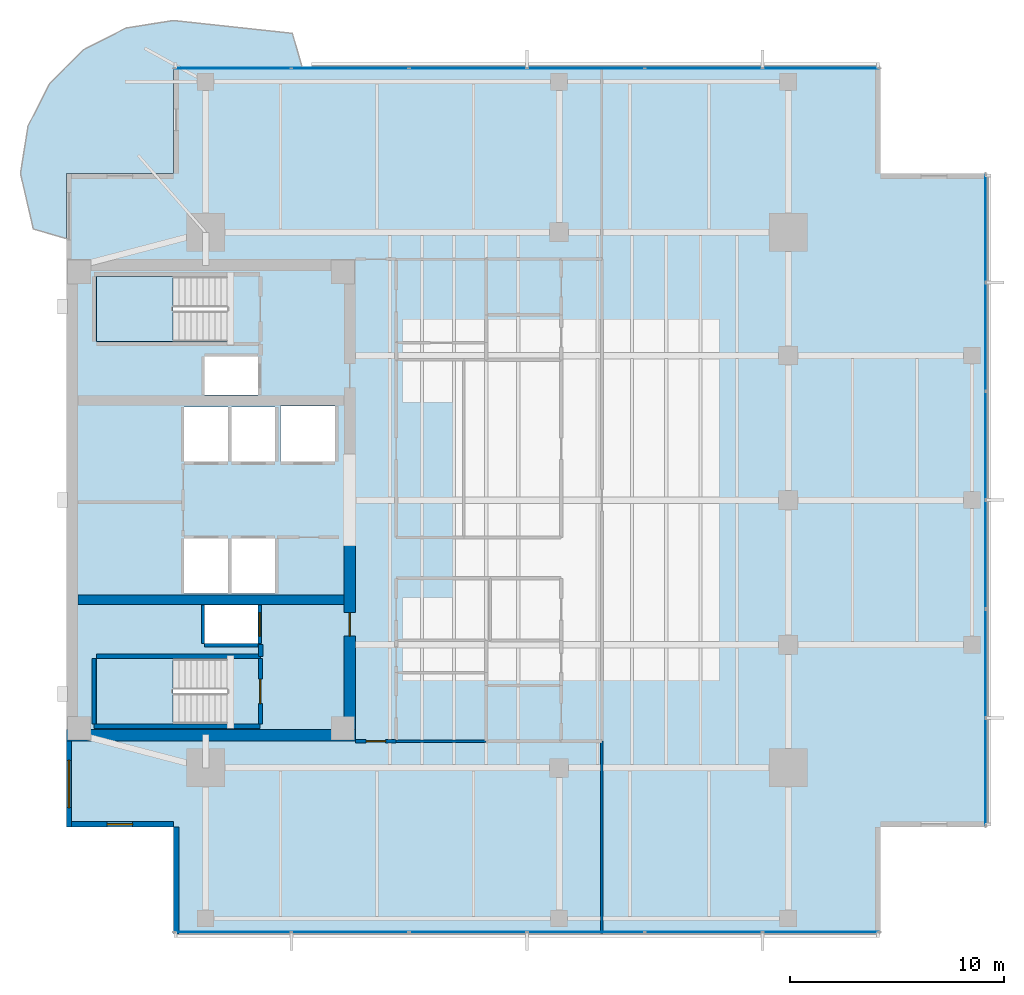
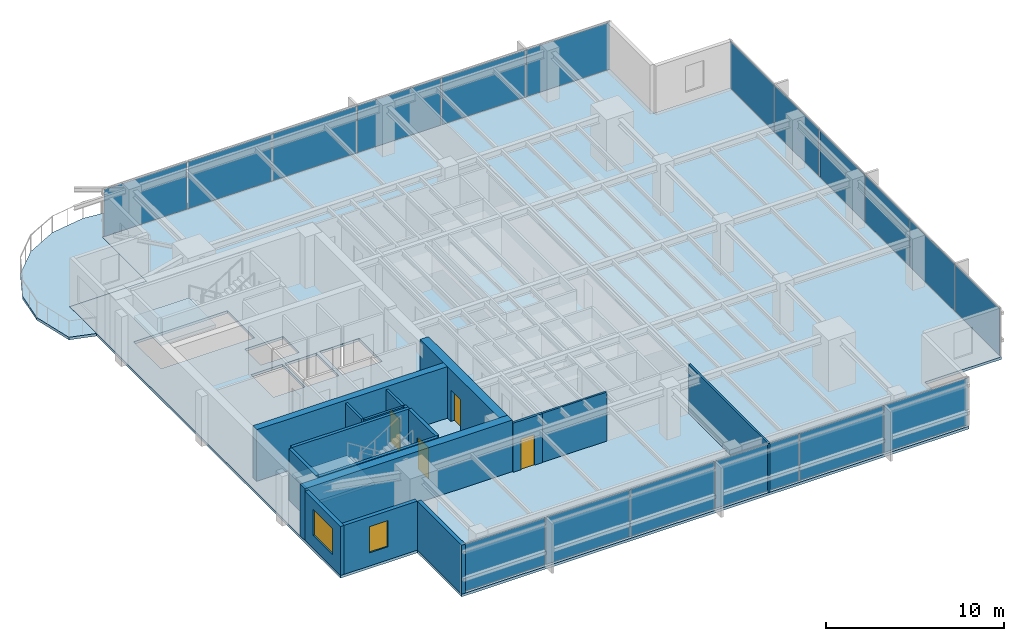
# One storey, part 7 of 14: 18 plates, 17 walls, 4 doors, 4 slabs, 2 windows, 6 openings, 5 elements without a shape of their own.
"""IFC4 building model written with IfcOpenShell, lengths in metres."""

from ifc_helpers import new_model, si_unit, direction, frame, frame_2d, origin, origin_2d, place, context, subcontext, project, spatial, polyline, rectangle, outline, extrude, material, layer, layer_set, type_object, element, fill, aggregate, save


model = new_model("IFC4")

# Units and contexts
model_context = context("Model", 3, precision=1e-05, world=origin(), true_north=direction((0.0, 1.0)))
body_context = subcontext(model_context, "Body", "Model", "MODEL_VIEW")
ifc_project = project(units=[si_unit("LENGTHUNIT", "METRE"), si_unit("AREAUNIT", "SQUARE_METRE"), si_unit("VOLUMEUNIT", "CUBIC_METRE"), si_unit("PLANEANGLEUNIT", "RADIAN"), si_unit("MASSUNIT", "GRAM", prefix="KILO")], contexts=[model_context])

# Site, building, storey
site_placement = place(None, origin())
site = spatial("IfcSite", under=ifc_project, at=site_placement, CompositionType="ELEMENT")
building_placement = place(site_placement, origin())
building = spatial("IfcBuilding", under=site, at=building_placement, Name="Kinhvarn Gate Tower", CompositionType="ELEMENT")
storey_placement = place(building_placement, frame((0.0, 0.0, 195.14990234375)))
storey = spatial("IfcBuildingStorey", under=building, at=storey_placement, Name="L51", CompositionType="ELEMENT", Elevation=195.14990234375)

# Curtain wall, plates
ifc_material_1 = material(Name="Anodised aluminium AW-6063", Category="aluminium")
ifc_layer_1 = layer(ifc_material_1, 0.179931640625)
ifc_layer_set_1 = layer_set([ifc_layer_1], Name="Anodised aluminium AW-6063")
curtain_wall_type = type_object("IfcCurtainWallType", Name="CW-SYS-3", PredefinedType="NOTDEFINED", material=ifc_layer_set_1)
curtain_wall_1_placement = place(storey_placement, origin())
curtain_wall_1 = element("IfcCurtainWall", 1, at=curtain_wall_1_placement, inside=storey, type_object=curtain_wall_type, Name="Curtain Wall CW3 (L51)", PredefinedType="NOTDEFINED")
ifc_material_2 = material(Name="Clear low-e double glazing", Category="glass")
ifc_layer_2 = layer(ifc_material_2, 0.031982421875)
ifc_layer_set_2 = layer_set([ifc_layer_2], Name="Clear low-e double glazing")
plate_type = type_object("IfcPlateType", Name="CW-PNL-VIS", PredefinedType="CURTAIN_PANEL", material=ifc_layer_set_2)
plate_1_placement = place(storey_placement, frame((12.266357421875, 5.090087890625, 0.070068359375), z_axis=(0.0, 0.0, 1.0), x_axis=(1.0, 0.0, 0.0)))
plate_1 = element("IfcPlate", 2, at=plate_1_placement, type_object=plate_type, Name="CW3 panel 1.1", PredefinedType="CURTAIN_PANEL", context=body_context, shape_type="SweptSolid", body=[
    extrude(rectangle(XDim=5.402587890625, YDim=0.031982421875, at=origin_2d()), origin(), (0.0, 0.0, 1.0), 3.22998046875),
])
plate_2_placement = place(storey_placement, frame((17.75, 5.090087890625, 0.070068359375), z_axis=(0.0, 0.0, 1.0), x_axis=(1.0, 0.0, 0.0)))
plate_2 = element("IfcPlate", 3, at=plate_2_placement, type_object=plate_type, Name="CW3 panel 2.1", PredefinedType="CURTAIN_PANEL", context=body_context, shape_type="SweptSolid", body=[
    extrude(rectangle(XDim=5.43505859375, YDim=0.031982421875, at=origin_2d()), origin(), (0.0, 0.0, 1.0), 3.22998046875),
])
plate_3_placement = place(storey_placement, frame((23.25, 5.090087890625, 0.070068359375), z_axis=(0.0, 0.0, 1.0), x_axis=(1.0, 0.0, 0.0)))
plate_3 = element("IfcPlate", 4, at=plate_3_placement, type_object=plate_type, Name="CW3 panel 3.1", PredefinedType="CURTAIN_PANEL", context=body_context, shape_type="SweptSolid", body=[
    extrude(rectangle(XDim=5.43505859375, YDim=0.031982421875, at=origin_2d()), origin(), (0.0, 0.0, 1.0), 3.22998046875),
])
plate_4_placement = place(storey_placement, frame((28.75, 5.090087890625, 0.070068359375), z_axis=(0.0, 0.0, 1.0), x_axis=(1.0, 0.0, 0.0)))
plate_4 = element("IfcPlate", 5, at=plate_4_placement, type_object=plate_type, Name="CW3 panel 4.1", PredefinedType="CURTAIN_PANEL", context=body_context, shape_type="SweptSolid", body=[
    extrude(rectangle(XDim=5.43505859375, YDim=0.031982421875, at=origin_2d()), origin(), (0.0, 0.0, 1.0), 3.22998046875),
])
plate_5_placement = place(storey_placement, frame((34.25, 5.090087890625, 0.070068359375), z_axis=(0.0, 0.0, 1.0), x_axis=(1.0, 0.0, 0.0)))
plate_5 = element("IfcPlate", 6, at=plate_5_placement, type_object=plate_type, Name="CW3 panel 5.1", PredefinedType="CURTAIN_PANEL", context=body_context, shape_type="SweptSolid", body=[
    extrude(rectangle(XDim=5.43505859375, YDim=0.031982421875, at=origin_2d()), origin(), (0.0, 0.0, 1.0), 3.22998046875),
])
plate_6_placement = place(storey_placement, frame((39.733642578125, 5.090087890625, 0.070068359375), z_axis=(0.0, 0.0, 1.0), x_axis=(1.0, 0.0, 0.0)))
plate_6 = element("IfcPlate", 7, at=plate_6_placement, type_object=plate_type, Name="CW3 panel 6.1", PredefinedType="CURTAIN_PANEL", context=body_context, shape_type="SweptSolid", body=[
    extrude(rectangle(XDim=5.402587890625, YDim=0.031982421875, at=origin_2d()), origin(), (0.0, 0.0, 1.0), 3.22998046875),
])
aggregate(curtain_wall_1, [plate_1, plate_2, plate_3, plate_4, plate_5, plate_6])

curtain_wall_2_placement = place(storey_placement, origin())
curtain_wall_2 = element("IfcCurtainWall", 8, at=curtain_wall_2_placement, inside=storey, type_object=curtain_wall_type, Name="Curtain Wall CW3 (L51)", PredefinedType="NOTDEFINED")
plate_7_placement = place(storey_placement, frame((39.733642578125, 45.409912109375, 0.070068359375), z_axis=(0.0, 0.0, 1.0), x_axis=(-1.0, 0.0, 0.0)))
plate_7 = element("IfcPlate", 9, at=plate_7_placement, type_object=plate_type, Name="CW3 panel 1.1", PredefinedType="CURTAIN_PANEL", context=body_context, shape_type="SweptSolid", body=[
    extrude(rectangle(XDim=5.402587890625, YDim=0.031982421875, at=origin_2d()), origin(), (0.0, 0.0, 1.0), 3.22998046875),
])
plate_8_placement = place(storey_placement, frame((34.25, 45.409912109375, 0.070068359375), z_axis=(0.0, 0.0, 1.0), x_axis=(-1.0, 0.0, 0.0)))
plate_8 = element("IfcPlate", 10, at=plate_8_placement, type_object=plate_type, Name="CW3 panel 2.1", PredefinedType="CURTAIN_PANEL", context=body_context, shape_type="SweptSolid", body=[
    extrude(rectangle(XDim=5.43505859375, YDim=0.031982421875, at=origin_2d()), origin(), (0.0, 0.0, 1.0), 3.22998046875),
])
plate_9_placement = place(storey_placement, frame((28.75, 45.409912109375, 0.070068359375), z_axis=(0.0, 0.0, 1.0), x_axis=(-1.0, 0.0, 0.0)))
plate_9 = element("IfcPlate", 11, at=plate_9_placement, type_object=plate_type, Name="CW3 panel 3.1", PredefinedType="CURTAIN_PANEL", context=body_context, shape_type="SweptSolid", body=[
    extrude(rectangle(XDim=5.43505859375, YDim=0.031982421875, at=origin_2d()), origin(), (0.0, 0.0, 1.0), 3.22998046875),
])
plate_10_placement = place(storey_placement, frame((23.25, 45.409912109375, 0.070068359375), z_axis=(0.0, 0.0, 1.0), x_axis=(-1.0, 0.0, 0.0)))
plate_10 = element("IfcPlate", 12, at=plate_10_placement, type_object=plate_type, Name="CW3 panel 4.1", PredefinedType="CURTAIN_PANEL", context=body_context, shape_type="SweptSolid", body=[
    extrude(rectangle(XDim=5.43505859375, YDim=0.031982421875, at=origin_2d()), origin(), (0.0, 0.0, 1.0), 3.22998046875),
])
plate_11_placement = place(storey_placement, frame((17.75, 45.409912109375, 0.070068359375), z_axis=(0.0, 0.0, 1.0), x_axis=(-1.0, 0.0, 0.0)))
plate_11 = element("IfcPlate", 13, at=plate_11_placement, type_object=plate_type, Name="CW3 panel 5.1", PredefinedType="CURTAIN_PANEL", context=body_context, shape_type="SweptSolid", body=[
    extrude(rectangle(XDim=5.43505859375, YDim=0.031982421875, at=origin_2d()), origin(), (0.0, 0.0, 1.0), 3.22998046875),
])
plate_12_placement = place(storey_placement, frame((12.266357421875, 45.409912109375, 0.070068359375), z_axis=(0.0, 0.0, 1.0), x_axis=(-1.0, 0.0, 0.0)))
plate_12 = element("IfcPlate", 14, at=plate_12_placement, type_object=plate_type, Name="CW3 panel 6.1", PredefinedType="CURTAIN_PANEL", context=body_context, shape_type="SweptSolid", body=[
    extrude(rectangle(XDim=5.402587890625, YDim=0.031982421875, at=origin_2d()), origin(), (0.0, 0.0, 1.0), 3.22998046875),
])
aggregate(curtain_wall_2, [plate_7, plate_8, plate_9, plate_10, plate_11, plate_12])

curtain_wall_3_placement = place(storey_placement, origin())
curtain_wall_3 = element("IfcCurtainWall", 15, at=curtain_wall_3_placement, inside=storey, type_object=curtain_wall_type, Name="Curtain Wall CW3 (L51)", PredefinedType="NOTDEFINED")
plate_13_placement = place(storey_placement, frame((47.409912109375, 12.557861328125, 0.070068359375), z_axis=(0.0, 0.0, 1.0), x_axis=(0.0, 1.0, 0.0)))
plate_13 = element("IfcPlate", 16, at=plate_13_placement, type_object=plate_type, Name="CW3 panel 1.1", PredefinedType="CURTAIN_PANEL", context=body_context, shape_type="SweptSolid", body=[
    extrude(rectangle(XDim=4.98583984375, YDim=0.031982421875, at=origin_2d()), origin(), (0.0, 0.0, 1.0), 3.22998046875),
])
plate_14_placement = place(storey_placement, frame((47.409912109375, 17.625, 0.070068359375), z_axis=(0.0, 0.0, 1.0), x_axis=(0.0, 1.0, 0.0)))
plate_14 = element("IfcPlate", 17, at=plate_14_placement, type_object=plate_type, Name="CW3 panel 2.1", PredefinedType="CURTAIN_PANEL", context=body_context, shape_type="SweptSolid", body=[
    extrude(rectangle(XDim=5.018310546875, YDim=0.031982421875, at=origin_2d()), origin(), (0.0, 0.0, 1.0), 3.22998046875),
])
plate_15_placement = place(storey_placement, frame((47.409912109375, 22.708251953125, 0.070068359375), z_axis=(0.0, 0.0, 1.0), x_axis=(0.0, 1.0, 0.0)))
plate_15 = element("IfcPlate", 18, at=plate_15_placement, type_object=plate_type, Name="CW3 panel 3.1", PredefinedType="CURTAIN_PANEL", context=body_context, shape_type="SweptSolid", body=[
    extrude(rectangle(XDim=5.018310546875, YDim=0.031982421875, at=origin_2d()), origin(), (0.0, 0.0, 1.0), 3.22998046875),
])
plate_16_placement = place(storey_placement, frame((47.409912109375, 27.791748046875, 0.070068359375), z_axis=(0.0, 0.0, 1.0), x_axis=(0.0, 1.0, 0.0)))
plate_16 = element("IfcPlate", 19, at=plate_16_placement, type_object=plate_type, Name="CW3 panel 4.1", PredefinedType="CURTAIN_PANEL", context=body_context, shape_type="SweptSolid", body=[
    extrude(rectangle(XDim=5.018310546875, YDim=0.031982421875, at=origin_2d()), origin(), (0.0, 0.0, 1.0), 3.22998046875),
])
plate_17_placement = place(storey_placement, frame((47.409912109375, 32.875, 0.070068359375), z_axis=(0.0, 0.0, 1.0), x_axis=(0.0, 1.0, 0.0)))
plate_17 = element("IfcPlate", 20, at=plate_17_placement, type_object=plate_type, Name="CW3 panel 5.1", PredefinedType="CURTAIN_PANEL", context=body_context, shape_type="SweptSolid", body=[
    extrude(rectangle(XDim=5.018310546875, YDim=0.031982421875, at=origin_2d()), origin(), (0.0, 0.0, 1.0), 3.22998046875),
])
plate_18_placement = place(storey_placement, frame((47.409912109375, 37.942138671875, 0.070068359375), z_axis=(0.0, 0.0, 1.0), x_axis=(0.0, 1.0, 0.0)))
plate_18 = element("IfcPlate", 21, at=plate_18_placement, type_object=plate_type, Name="CW3 panel 6.1", PredefinedType="CURTAIN_PANEL", context=body_context, shape_type="SweptSolid", body=[
    extrude(rectangle(XDim=4.98583984375, YDim=0.031982421875, at=origin_2d()), origin(), (0.0, 0.0, 1.0), 3.22998046875),
])
aggregate(curtain_wall_3, [plate_13, plate_14, plate_15, plate_16, plate_17, plate_18])

# Slabs
ifc_material_3 = material(Name="Precast white architectural concrete C40/50", Category="concrete")
ifc_layer_3 = layer(ifc_material_3, 0.179931640625)
ifc_layer_set_3 = layer_set([ifc_layer_3], Name="Precast white architectural concrete C40/50")
slab_type_1 = type_object("IfcSlabType", Name="SLB-BAL-180", PredefinedType="FLOOR", material=ifc_layer_set_3)
slab_1_placement = place(storey_placement, frame((0.0, 0.0, -0.179931640625)))
element("IfcSlab", 22, at=slab_1_placement, inside=storey, type_object=slab_type_1, Name="S-Carve Curved Terrace Balcony Slab L51 (NW)", PredefinedType="FLOOR", context=body_context, shape_type="SweptSolid", body=[
    extrude(outline(polyline([(15.4970703125, 45.5), (15.047119140625, 47.0400390625), (9.5, 47.638916015625), (7.2939453125, 47.28955078125), (5.3037109375, 46.275634765625), (3.724365234375, 44.6962890625), (2.71044921875, 42.7060546875), (2.361083984375, 40.5), (2.9599609375, 37.908935546875), (4.5, 37.458984375), (4.5, 40.5), (9.5, 40.5), (9.5, 45.5), (15.4970703125, 45.5)])), origin(), (0.0, 0.0, 1.0), 0.179931640625),
])
ifc_material_4 = material(Name="Concrete C40/50", Category="concrete")
ifc_layer_4 = layer(ifc_material_4, 0.179931640625)
ifc_layer_set_4 = layer_set([ifc_layer_4], Name="Concrete C40/50")
slab_type_2 = type_object("IfcSlabType", Name="SLB-FLR-180", PredefinedType="FLOOR", material=ifc_layer_set_4)
slab_2_placement = place(storey_placement, frame((0.0, 0.0, -0.179931640625)))
element("IfcSlab", 23, at=slab_2_placement, inside=storey, type_object=slab_type_2, Name="Suspended Floor Slab L51", PredefinedType="FLOOR", context=body_context, shape_type="SweptSolid", body=[
    extrude(outline(polyline([(9.5, 5.0), (42.5, 5.0), (42.5, 10.0), (47.5, 10.0), (47.5, 40.5), (42.5, 40.5), (42.5, 45.5), (9.5, 45.5), (9.5, 40.5), (4.5, 40.5), (4.5, 10.0), (9.5, 10.0), (9.5, 5.0)]), holes=[polyline([(5.89990234375, 14.800048828125), (12.0, 14.800048828125), (12.0, 17.85009765625), (5.89990234375, 17.85009765625), (5.89990234375, 14.800048828125)]), polyline([(5.89990234375, 32.64990234375), (12.0, 32.64990234375), (12.0, 35.699951171875), (5.89990234375, 35.699951171875), (5.89990234375, 32.64990234375)]), polyline([(10.0, 20.89990234375), (12.050048828125, 20.89990234375), (12.050048828125, 23.449951171875), (10.0, 23.449951171875), (10.0, 20.89990234375)]), polyline([(12.199951171875, 20.89990234375), (14.25, 20.89990234375), (14.25, 23.449951171875), (12.199951171875, 23.449951171875), (12.199951171875, 20.89990234375)]), polyline([(10.0, 27.050048828125), (12.050048828125, 27.050048828125), (12.050048828125, 29.60009765625), (10.0, 29.60009765625), (10.0, 27.050048828125)]), polyline([(12.199951171875, 27.050048828125), (14.25, 27.050048828125), (14.25, 29.60009765625), (12.199951171875, 29.60009765625), (12.199951171875, 27.050048828125)]), polyline([(14.5, 27.050048828125), (17.050048828125, 27.050048828125), (17.050048828125, 29.64990234375), (14.5, 29.64990234375), (14.5, 27.050048828125)]), polyline([(10.949951171875, 18.550048828125), (13.449951171875, 18.550048828125), (13.449951171875, 20.35009765625), (10.949951171875, 20.35009765625), (10.949951171875, 18.550048828125)]), polyline([(10.949951171875, 30.14990234375), (13.449951171875, 30.14990234375), (13.449951171875, 31.949951171875), (10.949951171875, 31.949951171875), (10.949951171875, 30.14990234375)])]), origin(), (0.0, 0.0, 1.0), 0.179931640625),
])

# Stair, slab
stair_type = type_object("IfcStairType", Name="STR-DLG-177", PredefinedType="HALF_TURN_STAIR", material=ifc_material_4)
stair_1_placement = place(storey_placement, origin())
stair_1 = element("IfcStair", 24, at=stair_1_placement, inside=storey, type_object=stair_type, Name="L51 Core Smokeproof Exit Stair ST1", PredefinedType="HALF_TURN_STAIR")
ifc_layer_5 = layer(ifc_material_4, 0.199951171875)
ifc_layer_set_5 = layer_set([ifc_layer_5], Name="Concrete C40/50")
slab_type_3 = type_object("IfcSlabType", Name="SLB-ST-LND", PredefinedType="LANDING", material=ifc_layer_set_5)
slab_3_placement = place(storey_placement, frame((0.0, 0.0, 1.5751953125)))
slab_3 = element("IfcSlab", 25, at=slab_3_placement, type_object=slab_type_3, Name="ST1 landing 1", PredefinedType="LANDING", context=body_context, shape_type="SweptSolid", body=[
    extrude(outline(polyline([(9.47998046875, 17.85009765625), (5.89990234375, 17.85009765625), (5.89990234375, 14.800048828125), (9.47998046875, 14.800048828125), (9.47998046875, 17.85009765625)])), origin(), (0.0, 0.0, 1.0), 0.199951171875),
])
aggregate(stair_1, [slab_3])

stair_2_placement = place(storey_placement, origin())
stair_2 = element("IfcStair", 26, at=stair_2_placement, inside=storey, type_object=stair_type, Name="L51 Core Smokeproof Exit Stair ST2", PredefinedType="HALF_TURN_STAIR")
slab_4_placement = place(storey_placement, frame((0.0, 0.0, 1.5751953125)))
slab_4 = element("IfcSlab", 27, at=slab_4_placement, type_object=slab_type_3, Name="ST2 landing 1", PredefinedType="LANDING", context=body_context, shape_type="SweptSolid", body=[
    extrude(outline(polyline([(9.47998046875, 35.699951171875), (5.89990234375, 35.699951171875), (5.89990234375, 32.64990234375), (9.47998046875, 32.64990234375), (9.47998046875, 35.699951171875)])), origin(), (0.0, 0.0, 1.0), 0.199951171875),
])
aggregate(stair_2, [slab_4])

# Walls
ifc_material_5 = material(Name="Concrete C50/60", Category="concrete")
ifc_layer_6 = layer(ifc_material_5, 0.449951171875)
ifc_layer_set_6 = layer_set([ifc_layer_6], Name="Concrete C50/60")
wall_type_1 = type_object("IfcWallType", Name="WL-CORE-450", PredefinedType="SHEAR", material=ifc_layer_set_6)
wall_1_placement = place(storey_placement, frame((5.050048828125, 20.60009765625, 0.0), z_axis=(0.0, 0.0, 1.0), x_axis=(1.0, 0.0, 0.0)))
element("IfcWall", 28, at=wall_1_placement, inside=storey, type_object=wall_type_1, Name="Core South Spine Shear Wall L51 450 mm", PredefinedType="SHEAR", context=body_context, shape_type="SweptSolid", body=[
    extrude(rectangle(XDim=12.39990234375, YDim=0.449951171875, at=frame_2d((6.199951171875, 0.0))), origin(), (0.0, 0.0, 1.0), 3.550048828125),
])
ifc_material_6 = material(Name="Concrete C60/75", Category="concrete")
ifc_layer_7 = layer(ifc_material_6, 0.550048828125)
ifc_layer_set_7 = layer_set([ifc_layer_7], Name="Concrete C60/75")
wall_type_2 = type_object("IfcWallType", Name="WL-CORE-550", PredefinedType="SHEAR", material=ifc_layer_set_7)
wall_2_placement = place(storey_placement, frame((4.5, 14.27490234375, 0.0), z_axis=(0.0, 0.0, 1.0), x_axis=(1.0, 0.0, 0.0)))
element("IfcWall", 29, at=wall_2_placement, inside=storey, type_object=wall_type_2, Name="Core South Shear Wall L51 550 mm", PredefinedType="SHEAR", context=body_context, shape_type="SweptSolid", body=[
    extrude(rectangle(XDim=13.5, YDim=0.550048828125, at=frame_2d((6.75, 0.0))), origin(), (0.0, 0.0, 1.0), 3.550048828125),
])

# Wall, opening, door
wall_3_placement = place(storey_placement, frame((17.72509765625, 14.550048828125, 0.0), z_axis=(0.0, 0.0, 1.0), x_axis=(0.0, 1.0, 0.0)))
wall_3 = element("IfcWall", 30, at=wall_3_placement, inside=storey, type_object=wall_type_2, Name="Core East-South Shear Pier L51 550 mm", PredefinedType="SHEAR", context=body_context, shape_type="SweptSolid", body=[
    extrude(rectangle(XDim=8.89990234375, YDim=0.550048828125, at=frame_2d((4.449951171875, 0.0))), origin(), (0.0, 0.0, 1.0), 3.550048828125),
])
opening_1_placement = place(wall_3_placement, frame((4.35009765625, 0.0, 0.0)))
opening_1 = element("IfcOpeningElement", 31, at=opening_1_placement, cuts=wall_3, Name="Opening FD-02", PredefinedType="OPENING", context=body_context, shape_type="SweptSolid", body=[
    extrude(rectangle(XDim=1.10009765625, YDim=2.14990234375, at=frame_2d((0.550048828125, 1.074951171875))), frame((0.0, 0.28515625, 0.0), z_axis=(0.0, -1.0, 0.0), x_axis=(1.0, 0.0, 0.0)), (0.0, 0.0, 1.0), 0.570068359375),
])
door_type_1 = type_object("IfcDoorType", Name="DR-FD-1100", OperationType="NOTDEFINED", PredefinedType="DOOR", material=ifc_material_1)
door_1_placement = place(opening_1_placement, origin())
door_1 = element("IfcDoor", 32, at=door_1_placement, inside=storey, type_object=door_type_1, Name="Firefighting Lobby Core Door (L51)", OperationType="SINGLE_SWING_RIGHT", OverallHeight=2.14990234375, OverallWidth=1.10009765625, PredefinedType="DOOR", context=body_context, shape_type="SweptSolid", body=[
    extrude(rectangle(XDim=1.10009765625, YDim=2.14990234375, at=frame_2d((0.550048828125, 1.074951171875))), frame((0.0, 0.02490234375, 0.0), z_axis=(0.0, -1.0, 0.0), x_axis=(1.0, 0.0, 0.0)), (0.0, 0.0, 1.0), 0.050048828125),
])
fill(opening_1, door_1)

# Wall, opening, window
ifc_material_7 = material(Name="Fired architectural terracotta", Category="masonry")
ifc_layer_8 = layer(ifc_material_7, 0.25)
ifc_layer_set_8 = layer_set([ifc_layer_8], Name="Fired architectural terracotta")
wall_type_3 = type_object("IfcWallType", Name="WL-EXT-250", PredefinedType="SOLIDWALL", material=ifc_layer_set_8)
wall_4_placement = place(storey_placement, frame((4.625, 14.0, 0.0), z_axis=(0.0, 0.0, 1.0), x_axis=(0.0, -1.0, 0.0)))
wall_4 = element("IfcWall", 33, at=wall_4_placement, inside=storey, type_object=wall_type_3, Name="Exterior Solidwall Wall EW-250 (L51 West-South)", PredefinedType="SOLIDWALL", context=body_context, shape_type="SweptSolid", body=[
    extrude(rectangle(XDim=4.0, YDim=0.25, at=frame_2d((2.0, 0.0))), origin(), (0.0, 0.0, 1.0), 3.3701171875),
])
opening_2_placement = place(wall_4_placement, frame((0.89990234375, 0.0, 0.89990234375)))
opening_2 = element("IfcOpeningElement", 34, at=opening_2_placement, cuts=wall_4, Name="Opening WN-01", PredefinedType="OPENING", context=body_context, shape_type="SweptSolid", body=[
    extrude(rectangle(XDim=2.199951171875, YDim=1.800048828125, at=frame_2d((1.10009765625, 0.89990234375))), frame((0.0, 0.135009765625, 0.0), z_axis=(0.0, -1.0, 0.0), x_axis=(1.0, 0.0, 0.0)), (0.0, 0.0, 1.0), 0.27001953125),
])
window_type_1 = type_object("IfcWindowType", Name="WIN-RIB-2200", PartitioningType="SINGLE_PANEL", PredefinedType="WINDOW", material=ifc_material_2)
window_1_placement = place(opening_2_placement, origin())
window_1 = element("IfcWindow", 35, at=window_1_placement, inside=storey, type_object=window_type_1, Name="West Flank Double-Glazed Ribbon Window 2200x1800 mm (L51)", OverallHeight=1.800048828125, OverallWidth=2.199951171875, PartitioningType="SINGLE_PANEL", PredefinedType="WINDOW", context=body_context, shape_type="SweptSolid", body=[
    extrude(rectangle(XDim=2.199951171875, YDim=1.800048828125, at=frame_2d((1.10009765625, 0.89990234375))), frame((0.0, 0.030029296875, 0.0), z_axis=(0.0, -1.0, 0.0), x_axis=(1.0, 0.0, 0.0)), (0.0, 0.0, 1.0), 0.06005859375),
])
fill(opening_2, window_1)

wall_5_placement = place(storey_placement, frame((4.5, 10.125, 0.0), z_axis=(0.0, 0.0, 1.0), x_axis=(1.0, 0.0, 0.0)))
wall_5 = element("IfcWall", 36, at=wall_5_placement, inside=storey, type_object=wall_type_3, Name="Exterior Solidwall Wall EW-250 (L51 SW-Notch-1)", PredefinedType="SOLIDWALL", context=body_context, shape_type="SweptSolid", body=[
    extrude(rectangle(XDim=5.0, YDim=0.25, at=frame_2d((2.5, 0.0))), origin(), (0.0, 0.0, 1.0), 3.3701171875),
])
opening_3_placement = place(wall_5_placement, frame((1.89990234375, 0.0, 0.89990234375)))
opening_3 = element("IfcOpeningElement", 37, at=opening_3_placement, cuts=wall_5, Name="Opening WN-02", PredefinedType="OPENING", context=body_context, shape_type="SweptSolid", body=[
    extrude(rectangle(XDim=1.199951171875, YDim=1.800048828125, at=frame_2d((0.60009765625, 0.89990234375))), frame((0.0, 0.135009765625, 0.0), z_axis=(0.0, -1.0, 0.0), x_axis=(1.0, 0.0, 0.0)), (0.0, 0.0, 1.0), 0.27001953125),
])
window_type_2 = type_object("IfcWindowType", Name="WIN-NTC-1200", PartitioningType="SINGLE_PANEL", PredefinedType="WINDOW", material=ifc_material_2)
window_2_placement = place(opening_3_placement, origin())
window_2 = element("IfcWindow", 38, at=window_2_placement, inside=storey, type_object=window_type_2, Name="Recessed Corner Notch Punched Window 1200x1800 mm (L51)", OverallHeight=1.800048828125, OverallWidth=1.199951171875, PartitioningType="SINGLE_PANEL", PredefinedType="WINDOW", context=body_context, shape_type="SweptSolid", body=[
    extrude(rectangle(XDim=1.199951171875, YDim=1.800048828125, at=frame_2d((0.60009765625, 0.89990234375))), frame((0.0, 0.030029296875, 0.0), z_axis=(0.0, -1.0, 0.0), x_axis=(1.0, 0.0, 0.0)), (0.0, 0.0, 1.0), 0.06005859375),
])
fill(opening_3, window_2)

# Walls
wall_6_placement = place(storey_placement, frame((9.625, 10.0, 0.0), z_axis=(0.0, 0.0, 1.0), x_axis=(0.0, -1.0, 0.0)))
element("IfcWall", 39, at=wall_6_placement, inside=storey, type_object=wall_type_3, Name="Exterior Solidwall Wall EW-250 (L51 SW-Notch-2)", PredefinedType="SOLIDWALL", context=body_context, shape_type="SweptSolid", body=[
    extrude(rectangle(XDim=5.0, YDim=0.25, at=frame_2d((2.5, 0.0))), origin(), (0.0, 0.0, 1.0), 3.3701171875),
])
ifc_material_8 = material(Name="Gypsum acoustic partition board")
ifc_layer_9 = layer(ifc_material_8, 0.1201171875)
ifc_layer_set_9 = layer_set([ifc_layer_9], Name="Gypsum acoustic partition board")
wall_type_4 = type_object("IfcWallType", Name="WL-PRT-120", PredefinedType="PARTITIONING", material=ifc_layer_set_9)
wall_7_placement = place(storey_placement, frame((19.89990234375, 14.0, 0.0), z_axis=(0.0, 0.0, 1.0), x_axis=(1.0, 0.0, 0.0)))
element("IfcWall", 40, at=wall_7_placement, inside=storey, type_object=wall_type_4, Name="Interior Partition PW-120 (L51)", PredefinedType="PARTITIONING", context=body_context, shape_type="SweptSolid", body=[
    extrude(rectangle(XDim=4.2001953125, YDim=0.1201171875, at=frame_2d((2.10009765625, 0.0))), origin(), (0.0, 0.0, 1.0), 3.3701171875),
])
wall_8_placement = place(storey_placement, frame((29.5, 5.010009765625, 0.0), z_axis=(0.0, 0.0, 1.0), x_axis=(0.0, 1.0, 0.0)))
element("IfcWall", 41, at=wall_8_placement, inside=storey, type_object=wall_type_4, Name="Interior Partition PW-120 (L51)", PredefinedType="PARTITIONING", context=body_context, shape_type="SweptSolid", body=[
    extrude(rectangle(XDim=8.989990234375, YDim=0.1201171875, at=frame_2d((4.4951171875, 0.0))), origin(), (0.0, 0.0, 1.0), 3.3701171875),
])

# Wall, opening, door
ifc_layer_10 = layer(ifc_material_8, 0.14990234375)
ifc_layer_set_10 = layer_set([ifc_layer_10], Name="Gypsum acoustic partition board")
wall_type_5 = type_object("IfcWallType", Name="WL-PRT-150F", PredefinedType="PARTITIONING", material=ifc_layer_set_10)
wall_9_placement = place(storey_placement, frame((18.0, 14.0, 0.0), z_axis=(0.0, 0.0, 1.0), x_axis=(1.0, 0.0, 0.0)))
wall_9 = element("IfcWall", 42, at=wall_9_placement, inside=storey, type_object=wall_type_5, Name="Interior Partition PW-150F (L51)", PredefinedType="PARTITIONING", context=body_context, shape_type="SweptSolid", body=[
    extrude(rectangle(XDim=1.89990234375, YDim=0.14990234375, at=frame_2d((0.949951171875, 0.0))), origin(), (0.0, 0.0, 1.0), 3.3701171875),
])
opening_4_placement = place(wall_9_placement, frame((0.5, 0.0, 0.0)))
opening_4 = element("IfcOpeningElement", 43, at=opening_4_placement, cuts=wall_9, Name="Opening ID-03", PredefinedType="OPENING", context=body_context, shape_type="SweptSolid", body=[
    extrude(rectangle(XDim=0.89990234375, YDim=2.10009765625, at=frame_2d((0.449951171875, 1.050048828125))), frame((0.0, 0.0849609375, 0.0), z_axis=(0.0, -1.0, 0.0), x_axis=(1.0, 0.0, 0.0)), (0.0, 0.0, 1.0), 0.169921875),
])
door_type_2 = type_object("IfcDoorType", Name="DR-INT-900", OperationType="NOTDEFINED", PredefinedType="DOOR", material=ifc_material_1)
door_2_placement = place(opening_4_placement, origin())
door_2 = element("IfcDoor", 44, at=door_2_placement, inside=storey, type_object=door_type_2, Name="Cellular Office & Restroom Door 900x2100 mm (L51)", OperationType="SINGLE_SWING_LEFT", OverallHeight=2.10009765625, OverallWidth=0.89990234375, PredefinedType="DOOR", context=body_context, shape_type="SweptSolid", body=[
    extrude(rectangle(XDim=0.89990234375, YDim=2.10009765625, at=frame_2d((0.449951171875, 1.050048828125))), frame((0.0, 0.02490234375, 0.0), z_axis=(0.0, -1.0, 0.0), x_axis=(1.0, 0.0, 0.0)), (0.0, 0.0, 1.0), 0.050048828125),
])
fill(opening_4, door_2)

# Walls
ifc_layer_11 = layer(ifc_material_8, 0.199951171875)
ifc_layer_set_11 = layer_set([ifc_layer_11], Name="Gypsum acoustic partition board")
wall_type_6 = type_object("IfcWallType", Name="WL-PRT-200", PredefinedType="PARTITIONING", material=ifc_layer_set_11)
wall_10_placement = place(storey_placement, frame((13.580078125, 17.9599609375, 0.0), z_axis=(0.0, 0.0, 1.0), x_axis=(0.0, 1.0, 0.0)))
element("IfcWall", 45, at=wall_10_placement, inside=storey, type_object=wall_type_6, Name="Interior Partition PW-200 (L51)", PredefinedType="PARTITIONING", context=body_context, shape_type="SweptSolid", body=[
    extrude(rectangle(XDim=0.5400390625, YDim=0.199951171875, at=frame_2d((0.27001953125, 0.0))), origin(), (0.0, 0.0, 1.0), 3.3701171875),
])
ifc_layer_12 = layer(ifc_material_8, 0.14990234375)
ifc_layer_set_12 = layer_set([ifc_layer_12], Name="Gypsum acoustic partition board")
wall_type_7 = type_object("IfcWallType", Name="WL-SHF-150", PredefinedType="PARTITIONING", material=ifc_layer_set_12)
wall_11_placement = place(storey_placement, frame((10.949951171875, 18.47509765625, 0.0), z_axis=(0.0, 0.0, 1.0), x_axis=(1.0, 0.0, 0.0)))
element("IfcWall", 46, at=wall_11_placement, inside=storey, type_object=wall_type_7, Name="Elevator FF1 Hoistway Wall S (L51)", PredefinedType="PARTITIONING", context=body_context, shape_type="SweptSolid", body=[
    extrude(rectangle(XDim=2.5, YDim=0.14990234375, at=frame_2d((1.25, 0.0))), origin(), (0.0, 0.0, 1.0), 3.3701171875),
])
wall_12_placement = place(storey_placement, frame((10.875, 18.550048828125, 0.0), z_axis=(0.0, 0.0, 1.0), x_axis=(0.0, 1.0, 0.0)))
element("IfcWall", 47, at=wall_12_placement, inside=storey, type_object=wall_type_7, Name="Elevator FF1 Hoistway Wall W (L51)", PredefinedType="PARTITIONING", context=body_context, shape_type="SweptSolid", body=[
    extrude(rectangle(XDim=1.800048828125, YDim=0.14990234375, at=frame_2d((0.89990234375, 0.0))), origin(), (0.0, 0.0, 1.0), 3.3701171875),
])

# Wall, opening, door
wall_13_placement = place(storey_placement, frame((13.52490234375, 18.550048828125, 0.0), z_axis=(0.0, 0.0, 1.0), x_axis=(0.0, 1.0, 0.0)))
wall_13 = element("IfcWall", 48, at=wall_13_placement, inside=storey, type_object=wall_type_7, Name="Elevator FF1 Landing Wall (L51)", PredefinedType="PARTITIONING", context=body_context, shape_type="SweptSolid", body=[
    extrude(rectangle(XDim=1.800048828125, YDim=0.14990234375, at=frame_2d((0.89990234375, 0.0))), origin(), (0.0, 0.0, 1.0), 3.3701171875),
])
opening_5_placement = place(wall_13_placement, frame((0.35009765625, 0.0, 0.0)))
opening_5 = element("IfcOpeningElement", 49, at=opening_5_placement, cuts=wall_13, Name="Opening LD-03", PredefinedType="OPENING", context=body_context, shape_type="SweptSolid", body=[
    extrude(rectangle(XDim=1.10009765625, YDim=2.199951171875, at=frame_2d((0.550048828125, 1.10009765625))), frame((0.0, 0.0849609375, 0.0), z_axis=(0.0, -1.0, 0.0), x_axis=(1.0, 0.0, 0.0)), (0.0, 0.0, 1.0), 0.169921875),
])
door_type_3 = type_object("IfcDoorType", Name="DR-LND-FF", OperationType="NOTDEFINED", PredefinedType="DOOR", material=ifc_material_1)
door_3_placement = place(opening_5_placement, origin())
door_3 = element("IfcDoor", 50, at=door_3_placement, inside=storey, type_object=door_type_3, Name="Elevator FF1 Sliding Landing Door (L51)", OperationType="DOUBLE_DOOR_SLIDING", OverallHeight=2.199951171875, OverallWidth=1.10009765625, PredefinedType="DOOR", context=body_context, shape_type="SweptSolid", body=[
    extrude(rectangle(XDim=1.10009765625, YDim=2.199951171875, at=frame_2d((0.550048828125, 1.10009765625))), frame((0.0, 0.02490234375, 0.0), z_axis=(0.0, -1.0, 0.0), x_axis=(1.0, 0.0, 0.0)), (0.0, 0.0, 1.0), 0.050048828125),
])
fill(opening_5, door_3)

# Walls
ifc_layer_13 = layer(ifc_material_4, 0.199951171875)
ifc_layer_set_13 = layer_set([ifc_layer_13], Name="Concrete C40/50")
wall_type_8 = type_object("IfcWallType", Name="WL-SHF-200", PredefinedType="SOLIDWALL", material=ifc_layer_set_13)
wall_14_placement = place(storey_placement, frame((5.800048828125, 14.699951171875, 0.0), z_axis=(0.0, 0.0, 1.0), x_axis=(1.0, 0.0, 0.0)))
element("IfcWall", 51, at=wall_14_placement, inside=storey, type_object=wall_type_8, Name="Stair ST1 South Shaft Wall (L51)", PredefinedType="SOLIDWALL", context=body_context, shape_type="SweptSolid", body=[
    extrude(rectangle(XDim=7.75, YDim=0.199951171875, at=frame_2d((3.875, 0.0))), origin(), (0.0, 0.0, 1.0), 3.550048828125),
])
wall_15_placement = place(storey_placement, frame((5.7900390625, 14.800048828125, 0.0), z_axis=(0.0, 0.0, 1.0), x_axis=(0.0, 1.0, 0.0)))
element("IfcWall", 52, at=wall_15_placement, inside=storey, type_object=wall_type_8, Name="Stair ST1 West Shaft Wall (L51)", PredefinedType="SOLIDWALL", context=body_context, shape_type="SweptSolid", body=[
    extrude(rectangle(XDim=3.050048828125, YDim=0.199951171875, at=frame_2d((1.52490234375, 0.0))), origin(), (0.0, 0.0, 1.0), 3.550048828125),
])
wall_16_placement = place(storey_placement, frame((5.89990234375, 17.9599609375, 0.0), z_axis=(0.0, 0.0, 1.0), x_axis=(1.0, 0.0, 0.0)))
element("IfcWall", 53, at=wall_16_placement, inside=storey, type_object=wall_type_8, Name="Stair ST1 North Shaft Wall (L51)", PredefinedType="SOLIDWALL", context=body_context, shape_type="SweptSolid", body=[
    extrude(rectangle(XDim=7.66015625, YDim=0.199951171875, at=frame_2d((3.830078125, 0.0))), origin(), (0.0, 0.0, 1.0), 3.550048828125),
])

# Wall, opening, door
wall_17_placement = place(storey_placement, frame((13.56005859375, 14.800048828125, 0.0), z_axis=(0.0, 0.0, 1.0), x_axis=(0.0, 1.0, 0.0)))
wall_17 = element("IfcWall", 54, at=wall_17_placement, inside=storey, type_object=wall_type_8, Name="Stair ST1 East Entry Wall (L51)", PredefinedType="SOLIDWALL", context=body_context, shape_type="SweptSolid", body=[
    extrude(rectangle(XDim=3.050048828125, YDim=0.199951171875, at=frame_2d((1.52490234375, 0.0))), origin(), (0.0, 0.0, 1.0), 3.550048828125),
])
opening_6_placement = place(wall_17_placement, frame((0.949951171875, 0.0, 0.0)))
opening_6 = element("IfcOpeningElement", 55, at=opening_6_placement, cuts=wall_17, Name="Opening FD-01", PredefinedType="OPENING", context=body_context, shape_type="SweptSolid", body=[
    extrude(rectangle(XDim=1.14990234375, YDim=2.14990234375, at=frame_2d((0.574951171875, 1.074951171875))), frame((0.0, 0.10986328125, 0.0), z_axis=(0.0, -1.0, 0.0), x_axis=(1.0, 0.0, 0.0)), (0.0, 0.0, 1.0), 0.219970703125),
])
door_type_4 = type_object("IfcDoorType", Name="DR-ST-1150", OperationType="NOTDEFINED", PredefinedType="DOOR", material=ifc_material_1)
door_4_placement = place(opening_6_placement, origin())
door_4 = element("IfcDoor", 56, at=door_4_placement, inside=storey, type_object=door_type_4, Name="Exit Stair ST1 Fire Door (L51)", OperationType="SINGLE_SWING_LEFT", OverallHeight=2.14990234375, OverallWidth=1.14990234375, PredefinedType="DOOR", context=body_context, shape_type="SweptSolid", body=[
    extrude(rectangle(XDim=1.14990234375, YDim=2.14990234375, at=frame_2d((0.574951171875, 1.074951171875))), frame((0.0, 0.02490234375, 0.0), z_axis=(0.0, -1.0, 0.0), x_axis=(1.0, 0.0, 0.0)), (0.0, 0.0, 1.0), 0.050048828125),
])
fill(opening_6, door_4)

save(model, "model.ifc")
